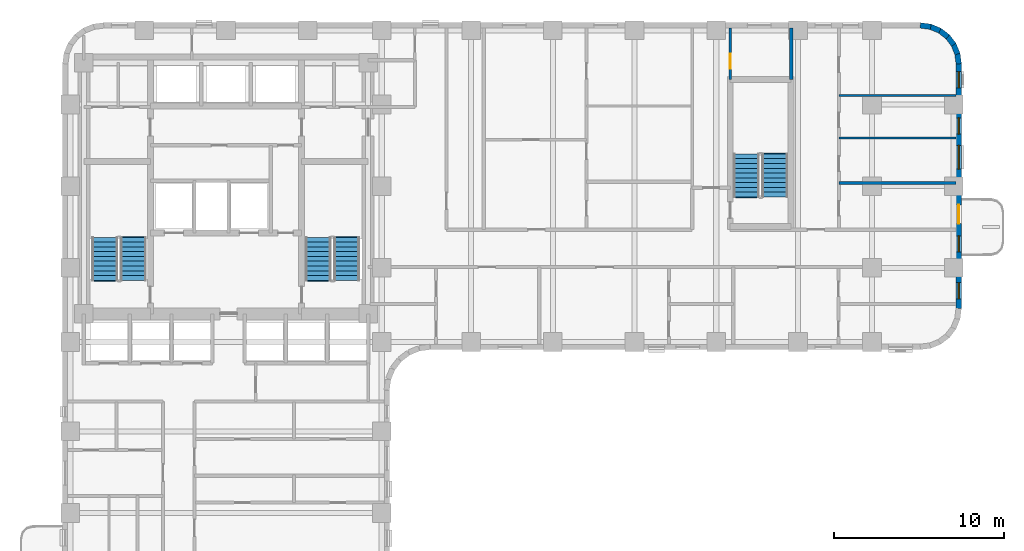
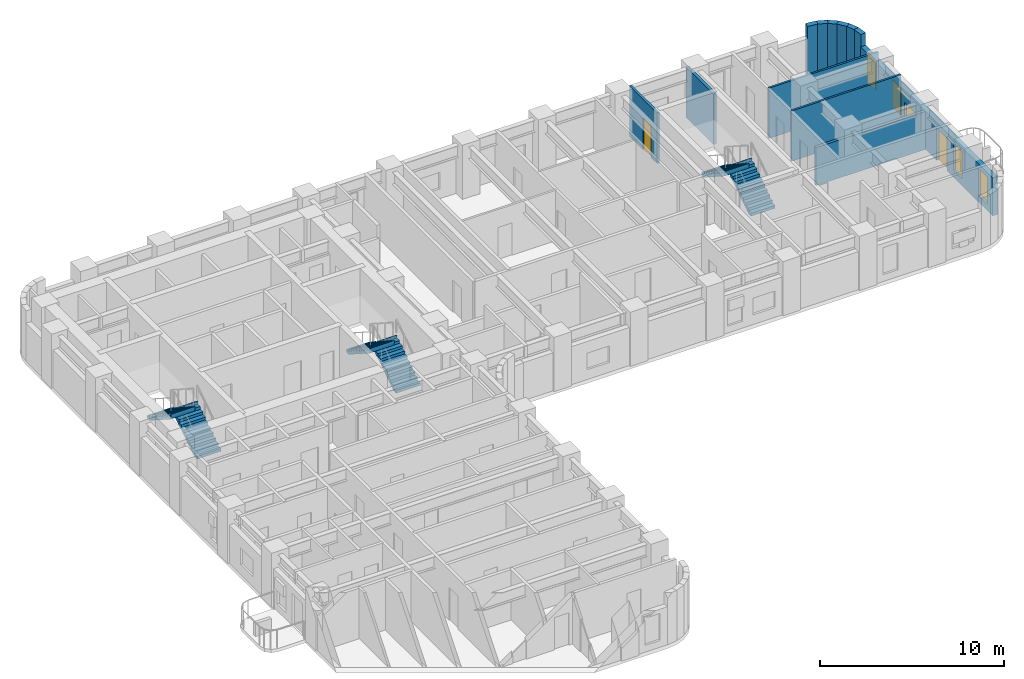
# One storey, part 8 of 12: 12 walls, 6 stair flights, 5 windows, 2 doors, 7 openings, 3 elements without a shape of their own.
"""IFC4 building model written with IfcOpenShell, lengths in metres."""

from ifc_helpers import new_model, si_unit, direction, frame, frame_2d, origin, place, context, subcontext, project, spatial, polyline, rectangle, outline, extrude, material, layer, layer_set, type_object, element, fill, aggregate, save


model = new_model("IFC4")

# Units and contexts
model_context = context("Model", 3, precision=1e-05, world=origin(), true_north=direction((0.0, 1.0)))
body_context = subcontext(model_context, "Body", "Model", "MODEL_VIEW")
ifc_project = project(units=[si_unit("LENGTHUNIT", "METRE"), si_unit("AREAUNIT", "SQUARE_METRE"), si_unit("VOLUMEUNIT", "CUBIC_METRE"), si_unit("PLANEANGLEUNIT", "RADIAN"), si_unit("MASSUNIT", "GRAM", prefix="KILO")], contexts=[model_context])

# Site, building, storey
site_placement = place(None, origin())
site = spatial("IfcSite", under=ifc_project, at=site_placement, CompositionType="ELEMENT")
building_placement = place(site_placement, origin())
building = spatial("IfcBuilding", under=site, at=building_placement, Name="Orvandelia Arch Residences", CompositionType="ELEMENT")
storey_placement = place(building_placement, frame((0.0, 0.0, 43.0)))
storey = spatial("IfcBuildingStorey", under=building, at=storey_placement, Name="L10", CompositionType="ELEMENT", Elevation=43.0)

# Walls
ifc_material_1 = material(Name="Concrete C40/50", Category="concrete")
ifc_layer_1 = layer(ifc_material_1, 0.199951171875, Name="Concrete C40/50", Category="concrete")
ifc_layer_set_1 = layer_set([ifc_layer_1], Name="Concrete C40/50")
wall_type_1 = type_object("IfcWallType", Name="WL-DEM-200", PredefinedType="SOLIDWALL", material=ifc_layer_set_1)
wall_1_placement = place(storey_placement, frame((47.60009765625, 44.659912109375, 0.0), z_axis=(0.0, 0.0, 1.0), x_axis=(0.0, 1.0, 0.0)))
element("IfcWall", 1, at=wall_1_placement, inside=storey, type_object=wall_type_1, Name="Interior Partition Wall WL-L10-ES-NST3E", PredefinedType="SOLIDWALL", context=body_context, shape_type="SweptSolid", body=[
    extrude(rectangle(XDim=3.02001953125, YDim=0.199951171875, at=frame_2d((1.510009765625, 0.0))), origin(), (0.0, 0.0, 1.0), 3.35009765625),
])
ifc_material_2 = material(Name="Precast concrete C40/50", Category="concrete")
ifc_layer_2 = layer(ifc_material_2, 0.320068359375, Name="Precast concrete C40/50", Category="concrete")
ifc_layer_set_2 = layer_set([ifc_layer_2], Name="Precast concrete C40/50")
wall_type_2 = type_object("IfcWallType", Name="WL-EXT-STONE-320", PredefinedType="STANDARD", material=ifc_layer_set_2)
for number, where, z_axis, x_axis, name in (
    (2, (55.17919921875, 47.84130859375, 0.0), (0.0, 0.0, 1.0), (0.9914410257, -0.130555323746, 0.0), "Coral-Limestone Precast Facade Wall L10-008"),
    (3, (55.760009765625, 47.7705078125, 0.0), (0.0, 0.0, 1.0), (0.92389335771, -0.382650053678, 0.0), "Coral-Limestone Precast Facade Wall L10-009"),
):
    element("IfcWall", number, at=place(storey_placement, frame(where, z_axis=z_axis, x_axis=x_axis)), inside=storey, type_object=wall_type_2, Name=name, PredefinedType="STANDARD", context=body_context, shape_type="SweptSolid", body=[
        extrude(rectangle(XDim=0.62646484375, YDim=0.320068359375, at=frame_2d((0.313232421875, 0.0))), origin(), (0.0, 0.0, 1.0), 3.35009765625),
    ])
wall_2_placement = place(storey_placement, frame((56.302490234375, 47.551513671875, 0.0), z_axis=(0.0, 0.0, 1.0), x_axis=(0.793549926411, -0.608505147302, 0.0)))
element("IfcWall", 4, at=wall_2_placement, inside=storey, type_object=wall_type_2, Name="Coral-Limestone Precast Facade Wall L10-010", PredefinedType="STANDARD", context=body_context, shape_type="SweptSolid", body=[
    extrude(rectangle(XDim=0.626708984375, YDim=0.320068359375, at=frame_2d((0.3134765625, 0.0))), origin(), (0.0, 0.0, 1.0), 3.35009765625),
])
for number, where, z_axis, x_axis, name in (
    (5, (56.770263671875, 47.19970703125, 0.0), (0.0, 0.0, 1.0), (0.608693302629, -0.793405610854, 0.0), "Coral-Limestone Precast Facade Wall L10-011"),
    (6, (57.130615234375, 46.73876953125, 0.0), (0.0, 0.0, 1.0), (0.382650053678, -0.92389335771, 0.0), "Coral-Limestone Precast Facade Wall L10-012"),
    (7, (57.359619140625, 46.2001953125, 0.0), (0.0, 0.0, 1.0), (0.130555323746, -0.9914410257, 0.0), "Coral-Limestone Precast Facade Wall L10-013"),
):
    element("IfcWall", number, at=place(storey_placement, frame(where, z_axis=z_axis, x_axis=x_axis)), inside=storey, type_object=wall_type_2, Name=name, PredefinedType="STANDARD", context=body_context, shape_type="SweptSolid", body=[
        extrude(rectangle(XDim=0.62646484375, YDim=0.320068359375, at=frame_2d((0.313232421875, 0.0))), origin(), (0.0, 0.0, 1.0), 3.35009765625),
    ])

# Wall, openings, door, windows
wall_3_placement = place(storey_placement, frame((57.43994140625, 45.60009765625, 0.0), z_axis=(0.0, 0.0, 1.0), x_axis=(0.0, -1.0, 0.0)))
wall_3 = element("IfcWall", 8, at=wall_3_placement, inside=storey, type_object=wall_type_2, Name="Coral-Limestone Precast Facade Wall L10-014", PredefinedType="STANDARD", context=body_context, shape_type="SweptSolid", body=[
    extrude(rectangle(XDim=14.400146484375, YDim=0.320068359375, at=frame_2d((7.2001953125, 0.0))), origin(), (0.0, 0.0, 1.0), 2.530029296875),
])
opening_1_placement = place(wall_3_placement, frame((8.300048828125, 0.0, 0.0)))
opening_1 = element("IfcOpeningElement", 9, at=opening_1_placement, cuts=wall_3, Name="Opening BD1", PredefinedType="OPENING", context=body_context, shape_type="SweptSolid", body=[
    extrude(rectangle(XDim=1.10009765625, YDim=2.14990234375, at=frame_2d((0.550048828125, 1.074951171875))), frame((0.0, 0.169921875, 0.0), z_axis=(0.0, -1.0, 0.0), x_axis=(1.0, 0.0, 0.0)), (0.0, 0.0, 1.0), 0.340087890625),
])
opening_2_placement = place(wall_3_placement, frame((0.469970703125, 0.0, 0.449951171875)))
opening_2 = element("IfcOpeningElement", 10, at=opening_2_placement, cuts=wall_3, Name="Opening W4", PredefinedType="OPENING", context=body_context, shape_type="SweptSolid", body=[
    extrude(rectangle(XDim=0.949951171875, YDim=1.800048828125, at=frame_2d((0.47509765625, 0.89990234375))), frame((0.0, 0.169921875, 0.0), z_axis=(0.0, -1.0, 0.0), x_axis=(1.0, 0.0, 0.0)), (0.0, 0.0, 1.0), 0.340087890625),
])
opening_3_placement = place(wall_3_placement, frame((10.114990234375, 0.0, 0.449951171875)))
opening_3 = element("IfcOpeningElement", 11, at=opening_3_placement, cuts=wall_3, Name="Opening W4", PredefinedType="OPENING", context=body_context, shape_type="SweptSolid", body=[
    extrude(rectangle(XDim=0.949951171875, YDim=1.800048828125, at=frame_2d((0.47509765625, 0.89990234375))), frame((0.0, 0.169921875, 0.0), z_axis=(0.0, -1.0, 0.0), x_axis=(1.0, 0.0, 0.0)), (0.0, 0.0, 1.0), 0.340087890625),
])
opening_4_placement = place(wall_3_placement, frame((12.867431640625, 0.0, 0.449951171875)))
opening_4 = element("IfcOpeningElement", 12, at=opening_4_placement, cuts=wall_3, Name="Opening W4", PredefinedType="OPENING", context=body_context, shape_type="SweptSolid", body=[
    extrude(rectangle(XDim=0.949951171875, YDim=1.800048828125, at=frame_2d((0.47509765625, 0.89990234375))), frame((0.0, 0.169921875, 0.0), z_axis=(0.0, -1.0, 0.0), x_axis=(1.0, 0.0, 0.0)), (0.0, 0.0, 1.0), 0.340087890625),
])
opening_5_placement = place(wall_3_placement, frame((4.798583984375, 0.0, 0.64990234375)))
opening_5 = element("IfcOpeningElement", 13, at=opening_5_placement, cuts=wall_3, Name="Opening W10", PredefinedType="OPENING", context=body_context, shape_type="SweptSolid", body=[
    extrude(rectangle(XDim=1.39990234375, YDim=1.10009765625, at=frame_2d((0.699951171875, 0.550048828125))), frame((0.0, 0.169921875, 0.0), z_axis=(0.0, -1.0, 0.0), x_axis=(1.0, 0.0, 0.0)), (0.0, 0.0, 1.0), 0.340087890625),
])
opening_6_placement = place(wall_3_placement, frame((3.193603515625, 0.0, 0.449951171875)))
opening_6 = element("IfcOpeningElement", 14, at=opening_6_placement, cuts=wall_3, Name="Opening W4", PredefinedType="OPENING", context=body_context, shape_type="SweptSolid", body=[
    extrude(rectangle(XDim=0.949951171875, YDim=1.800048828125, at=frame_2d((0.47509765625, 0.89990234375))), frame((0.0, 0.169921875, 0.0), z_axis=(0.0, -1.0, 0.0), x_axis=(1.0, 0.0, 0.0)), (0.0, 0.0, 1.0), 0.340087890625),
])
ifc_material_3 = material(Name="Thermally Broken Aluminium Glazed Door", Category="aluminium")
door_type_1 = type_object("IfcDoorType", Name="DR-BAL-GLAZ-1100", OperationType="NOTDEFINED", PredefinedType="DOOR", material=ifc_material_3)
door_1_placement = place(opening_1_placement, origin())
door_1 = element("IfcDoor", 15, at=door_1_placement, inside=storey, type_object=door_type_1, Name="Tree Balcony Glazed Door BAL-L10-E1", OperationType="SINGLE_SWING_LEFT", OverallHeight=2.14990234375, OverallWidth=1.10009765625, PredefinedType="DOOR", context=body_context, shape_type="SweptSolid", body=[
    extrude(rectangle(XDim=1.10009765625, YDim=2.14990234375, at=frame_2d((0.550048828125, 1.074951171875))), frame((0.0, 0.02490234375, 0.0), z_axis=(0.0, -1.0, 0.0), x_axis=(1.0, 0.0, 0.0)), (0.0, 0.0, 1.0), 0.050048828125),
])
fill(opening_1, door_1)
ifc_material_4 = material(Name="Tempered Low-E Insulated Glazing", Category="glass")
window_type_1 = type_object("IfcWindowType", Name="WIN-CLR-1400x1100", PartitioningType="SINGLE_PANEL", PredefinedType="WINDOW", material=ifc_material_4)
window_1_placement = place(opening_5_placement, origin())
window_1 = element("IfcWindow", 16, at=window_1_placement, inside=storey, type_object=window_type_1, Name="Recessed Punched Window L10-012", OverallHeight=1.10009765625, OverallWidth=1.39990234375, PartitioningType="SINGLE_PANEL", PredefinedType="WINDOW", context=body_context, shape_type="SweptSolid", body=[
    extrude(rectangle(XDim=1.39990234375, YDim=1.10009765625, at=frame_2d((0.699951171875, 0.550048828125))), frame((0.0, 0.030029296875, 0.0), z_axis=(0.0, -1.0, 0.0), x_axis=(1.0, 0.0, 0.0)), (0.0, 0.0, 1.0), 0.06005859375),
])
fill(opening_5, window_1)
window_type_2 = type_object("IfcWindowType", Name="WIN-RES-0950x1800", PartitioningType="SINGLE_PANEL", PredefinedType="WINDOW", material=ifc_material_4)
window_2_placement = place(opening_2_placement, origin())
window_2 = element("IfcWindow", 17, at=window_2_placement, inside=storey, type_object=window_type_2, Name="Recessed Punched Window L10-009", OverallHeight=1.800048828125, OverallWidth=0.949951171875, PartitioningType="SINGLE_PANEL", PredefinedType="WINDOW", context=body_context, shape_type="SweptSolid", body=[
    extrude(rectangle(XDim=0.949951171875, YDim=1.800048828125, at=frame_2d((0.47509765625, 0.89990234375))), frame((0.0, 0.030029296875, 0.0), z_axis=(0.0, -1.0, 0.0), x_axis=(1.0, 0.0, 0.0)), (0.0, 0.0, 1.0), 0.06005859375),
])
fill(opening_2, window_2)
window_3_placement = place(opening_3_placement, origin())
window_3 = element("IfcWindow", 18, at=window_3_placement, inside=storey, type_object=window_type_2, Name="Recessed Punched Window L10-010", OverallHeight=1.800048828125, OverallWidth=0.949951171875, PartitioningType="SINGLE_PANEL", PredefinedType="WINDOW", context=body_context, shape_type="SweptSolid", body=[
    extrude(rectangle(XDim=0.949951171875, YDim=1.800048828125, at=frame_2d((0.47509765625, 0.89990234375))), frame((0.0, 0.030029296875, 0.0), z_axis=(0.0, -1.0, 0.0), x_axis=(1.0, 0.0, 0.0)), (0.0, 0.0, 1.0), 0.06005859375),
])
fill(opening_3, window_3)
window_4_placement = place(opening_4_placement, origin())
window_4 = element("IfcWindow", 19, at=window_4_placement, inside=storey, type_object=window_type_2, Name="Recessed Punched Window L10-011", OverallHeight=1.800048828125, OverallWidth=0.949951171875, PartitioningType="SINGLE_PANEL", PredefinedType="WINDOW", context=body_context, shape_type="SweptSolid", body=[
    extrude(rectangle(XDim=0.949951171875, YDim=1.800048828125, at=frame_2d((0.47509765625, 0.89990234375))), frame((0.0, 0.030029296875, 0.0), z_axis=(0.0, -1.0, 0.0), x_axis=(1.0, 0.0, 0.0)), (0.0, 0.0, 1.0), 0.06005859375),
])
fill(opening_4, window_4)
window_5_placement = place(opening_6_placement, origin())
window_5 = element("IfcWindow", 20, at=window_5_placement, inside=storey, type_object=window_type_2, Name="Recessed Punched Window L10-013", OverallHeight=1.800048828125, OverallWidth=0.949951171875, PartitioningType="SINGLE_PANEL", PredefinedType="WINDOW", context=body_context, shape_type="SweptSolid", body=[
    extrude(rectangle(XDim=0.949951171875, YDim=1.800048828125, at=frame_2d((0.47509765625, 0.89990234375))), frame((0.0, 0.030029296875, 0.0), z_axis=(0.0, -1.0, 0.0), x_axis=(1.0, 0.0, 0.0)), (0.0, 0.0, 1.0), 0.06005859375),
])
fill(opening_6, window_5)

# Walls
ifc_material_5 = material(Name="Lightweight Gypsum Stud Partition")
ifc_layer_3 = layer(ifc_material_5, 0.1201171875, Name="Lightweight Gypsum Stud Partition")
ifc_layer_set_3 = layer_set([ifc_layer_3], Name="Lightweight Gypsum Stud Partition")
wall_type_3 = type_object("IfcWallType", Name="WL-PART-120", PredefinedType="PARTITIONING", material=ifc_layer_set_3)
for number, where, z_axis, x_axis, name in (
    (21, (50.39697265625, 41.23291015625, 0.0), (0.0, 0.0, 1.0), (1.0, 0.0, 0.0), "Interior Partition Wall WL-L10-U12-H1B"),
    (22, (50.39697265625, 43.718994140625, 0.0), (0.0, 0.0, 1.0), (1.0, 0.0, 0.0), "Interior Partition Wall WL-L10-U12-H2"),
):
    element("IfcWall", number, at=place(storey_placement, frame(where, z_axis=z_axis, x_axis=x_axis)), inside=storey, type_object=wall_type_3, Name=name, PredefinedType="PARTITIONING", context=body_context, shape_type="SweptSolid", body=[
        extrude(rectangle(XDim=6.883056640625, YDim=0.1201171875, at=frame_2d((3.44140625, 0.0))), origin(), (0.0, 0.0, 1.0), 3.35009765625),
    ])

# Wall, opening, door
ifc_material_6 = material(Name="Acoustic Gypsum Stud Partition")
ifc_layer_4 = layer(ifc_material_6, 0.14990234375, Name="Acoustic Gypsum Stud Partition")
ifc_layer_set_4 = layer_set([ifc_layer_4], Name="Acoustic Gypsum Stud Partition")
wall_type_4 = type_object("IfcWallType", Name="WL-PART-150", PredefinedType="PARTITIONING", material=ifc_layer_set_4)
wall_4_placement = place(storey_placement, frame((44.02001953125, 44.659912109375, 0.0), z_axis=(0.0, 0.0, 1.0), x_axis=(0.0, 1.0, 0.0)))
wall_4 = element("IfcWall", 23, at=wall_4_placement, inside=storey, type_object=wall_type_4, Name="Interior Partition Wall WL-L10-ES-NST3W", PredefinedType="PARTITIONING", context=body_context, shape_type="SweptSolid", body=[
    extrude(rectangle(XDim=3.02001953125, YDim=0.14990234375, at=frame_2d((1.510009765625, 0.0))), origin(), (0.0, 0.0, 1.0), 3.35009765625),
])
opening_7_placement = place(wall_4_placement, frame((0.64990234375, 0.0, 0.0)))
opening_7 = element("IfcOpeningElement", 24, at=opening_7_placement, cuts=wall_4, Name="Opening D5", PredefinedType="OPENING", context=body_context, shape_type="SweptSolid", body=[
    extrude(rectangle(XDim=0.8798828125, YDim=2.10009765625, at=frame_2d((0.43994140625, 1.050048828125))), frame((0.0, 0.0849609375, 0.0), z_axis=(0.0, -1.0, 0.0), x_axis=(1.0, 0.0, 0.0)), (0.0, 0.0, 1.0), 0.169921875),
])
ifc_material_7 = material(Name="Painted Galvanised Steel Service Door", Category="steel")
door_type_2 = type_object("IfcDoorType", Name="DR-SRV-880", OperationType="NOTDEFINED", PredefinedType="DOOR", material=ifc_material_7)
door_2_placement = place(opening_7_placement, origin())
door_2 = element("IfcDoor", 25, at=door_2_placement, inside=storey, type_object=door_type_2, Name="DR-L10-ESNST3", OperationType="SINGLE_SWING_RIGHT", OverallHeight=2.10009765625, OverallWidth=0.8798828125, PredefinedType="DOOR", context=body_context, shape_type="SweptSolid", body=[
    extrude(rectangle(XDim=0.8798828125, YDim=2.10009765625, at=frame_2d((0.43994140625, 1.050048828125))), frame((0.0, 0.02490234375, 0.0), z_axis=(0.0, -1.0, 0.0), x_axis=(1.0, 0.0, 0.0)), (0.0, 0.0, 1.0), 0.050048828125),
])
fill(opening_7, door_2)

# Wall
ifc_material_8 = material(Name="Moisture-Resistant Plumbing Wall")
ifc_layer_5 = layer(ifc_material_8, 0.179931640625, Name="Moisture-Resistant Plumbing Wall")
ifc_layer_set_5 = layer_set([ifc_layer_5], Name="Moisture-Resistant Plumbing Wall")
wall_type_5 = type_object("IfcWallType", Name="WL-WET-180", PredefinedType="PLUMBINGWALL", material=ifc_layer_set_5)
wall_5_placement = place(storey_placement, frame((50.39697265625, 38.591064453125, 0.0), z_axis=(0.0, 0.0, 1.0), x_axis=(1.0, 0.0, 0.0)))
element("IfcWall", 26, at=wall_5_placement, inside=storey, type_object=wall_type_5, Name="Interior Partition Wall WL-L10-U12-H1", PredefinedType="PLUMBINGWALL", context=body_context, shape_type="SweptSolid", body=[
    extrude(rectangle(XDim=6.883056640625, YDim=0.179931640625, at=frame_2d((3.44140625, 0.0))), origin(), (0.0, 0.0, 1.0), 2.530029296875),
])

# Stair, stair flights
stair_type = type_object("IfcStairType", Name="STAIR-RC-DOGLEG", PredefinedType="HALF_TURN_STAIR", material=ifc_material_1)
stair_1_placement = place(storey_placement, origin())
stair_1 = element("IfcStair", 27, at=stair_1_placement, inside=storey, type_object=stair_type, Name="L10 Protected Exit Stair ST-1", PredefinedType="HALF_TURN_STAIR")
stair_flight_type = type_object("IfcStairFlightType", Name="STFLT-RC-1520", PredefinedType="STRAIGHT", material=ifc_material_1)
stair_flight_1_placement = place(storey_placement, frame((8.9599609375, 32.8701171875, 0.0), z_axis=(0.0, 0.0, 1.0), x_axis=(0.0, 1.0, 0.0)))
stair_flight_1 = element("IfcStairFlight", 28, at=stair_flight_1_placement, type_object=stair_flight_type, Name="ST-1 flight 1", NumberOfRisers=10, NumberOfTreads=9, PredefinedType="STRAIGHT", RiserHeight=0.18, TreadLength=0.28, context=body_context, shape_type="SweptSolid", body=[
    extrude(outline(polyline([(0.0, 0.0), (0.0, 0.179931640625), (0.280029296875, 0.179931640625), (0.280029296875, 0.360107421875), (0.56005859375, 0.360107421875), (0.56005859375, 0.5400390625), (0.840087890625, 0.5400390625), (0.840087890625, 0.719970703125), (1.1201171875, 0.719970703125), (1.1201171875, 0.89990234375), (1.39990234375, 0.89990234375), (1.39990234375, 1.080078125), (1.679931640625, 1.080078125), (1.679931640625, 1.260009765625), (1.9599609375, 1.260009765625), (1.9599609375, 1.43994140625), (2.239990234375, 1.43994140625), (2.239990234375, 1.6201171875), (2.52001953125, 1.6201171875), (2.52001953125, 1.800048828125), (2.580078125, 1.800048828125), (2.580078125, 1.6201171875), (2.52001953125, 1.44189453125), (0.277099609375, 0.0), (0.0, 0.0)])), frame((0.0, 0.760009765625, 0.0), z_axis=(0.0, -1.0, 0.0), x_axis=(1.0, 0.0, 0.0)), (0.0, 0.0, 1.0), 1.52001953125),
])
stair_flight_2_placement = place(storey_placement, frame((7.2900390625, 35.389892578125, 1.800048828125), z_axis=(0.0, 0.0, 1.0), x_axis=(0.0, -1.0, 0.0)))
stair_flight_2 = element("IfcStairFlight", 29, at=stair_flight_2_placement, type_object=stair_flight_type, Name="ST-1 flight 2", NumberOfRisers=10, NumberOfTreads=9, PredefinedType="STRAIGHT", RiserHeight=0.18, TreadLength=0.28, context=body_context, shape_type="SweptSolid", body=[
    extrude(outline(polyline([(0.0, 0.0), (0.0, 0.179931640625), (0.280029296875, 0.179931640625), (0.280029296875, 0.360107421875), (0.56005859375, 0.360107421875), (0.56005859375, 0.5400390625), (0.840087890625, 0.5400390625), (0.840087890625, 0.719970703125), (1.1201171875, 0.719970703125), (1.1201171875, 0.89990234375), (1.39990234375, 0.89990234375), (1.39990234375, 1.080078125), (1.679931640625, 1.080078125), (1.679931640625, 1.260009765625), (1.9599609375, 1.260009765625), (1.9599609375, 1.43994140625), (2.239990234375, 1.43994140625), (2.239990234375, 1.6201171875), (2.52001953125, 1.6201171875), (2.52001953125, 1.800048828125), (2.580078125, 1.800048828125), (2.580078125, 1.6201171875), (2.52001953125, 1.44189453125), (0.277099609375, 0.0), (0.0, 0.0)])), frame((0.0, 0.760009765625, 0.0), z_axis=(0.0, -1.0, 0.0), x_axis=(1.0, 0.0, 0.0)), (0.0, 0.0, 1.0), 1.52001953125),
])
aggregate(stair_1, [stair_flight_1, stair_flight_2])

stair_2_placement = place(storey_placement, origin())
stair_2 = element("IfcStair", 30, at=stair_2_placement, inside=storey, type_object=stair_type, Name="L10 Protected Exit Stair ST-2", PredefinedType="HALF_TURN_STAIR")
stair_flight_3_placement = place(storey_placement, frame((21.489990234375, 32.8701171875, 0.0), z_axis=(0.0, 0.0, 1.0), x_axis=(0.0, 1.0, 0.0)))
stair_flight_3 = element("IfcStairFlight", 31, at=stair_flight_3_placement, type_object=stair_flight_type, Name="ST-2 flight 1", NumberOfRisers=10, NumberOfTreads=9, PredefinedType="STRAIGHT", RiserHeight=0.18, TreadLength=0.28, context=body_context, shape_type="SweptSolid", body=[
    extrude(outline(polyline([(0.0, 0.0), (0.0, 0.179931640625), (0.280029296875, 0.179931640625), (0.280029296875, 0.360107421875), (0.56005859375, 0.360107421875), (0.56005859375, 0.5400390625), (0.840087890625, 0.5400390625), (0.840087890625, 0.719970703125), (1.1201171875, 0.719970703125), (1.1201171875, 0.89990234375), (1.39990234375, 0.89990234375), (1.39990234375, 1.080078125), (1.679931640625, 1.080078125), (1.679931640625, 1.260009765625), (1.9599609375, 1.260009765625), (1.9599609375, 1.43994140625), (2.239990234375, 1.43994140625), (2.239990234375, 1.6201171875), (2.52001953125, 1.6201171875), (2.52001953125, 1.800048828125), (2.580078125, 1.800048828125), (2.580078125, 1.6201171875), (2.52001953125, 1.44189453125), (0.277099609375, 0.0), (0.0, 0.0)])), frame((0.0, 0.760009765625, 0.0), z_axis=(0.0, -1.0, 0.0), x_axis=(1.0, 0.0, 0.0)), (0.0, 0.0, 1.0), 1.52001953125),
])
stair_flight_4_placement = place(storey_placement, frame((19.820068359375, 35.389892578125, 1.800048828125), z_axis=(0.0, 0.0, 1.0), x_axis=(0.0, -1.0, 0.0)))
stair_flight_4 = element("IfcStairFlight", 32, at=stair_flight_4_placement, type_object=stair_flight_type, Name="ST-2 flight 2", NumberOfRisers=10, NumberOfTreads=9, PredefinedType="STRAIGHT", RiserHeight=0.18, TreadLength=0.28, context=body_context, shape_type="SweptSolid", body=[
    extrude(outline(polyline([(0.0, 0.0), (0.0, 0.179931640625), (0.280029296875, 0.179931640625), (0.280029296875, 0.360107421875), (0.56005859375, 0.360107421875), (0.56005859375, 0.5400390625), (0.840087890625, 0.5400390625), (0.840087890625, 0.719970703125), (1.1201171875, 0.719970703125), (1.1201171875, 0.89990234375), (1.39990234375, 0.89990234375), (1.39990234375, 1.080078125), (1.679931640625, 1.080078125), (1.679931640625, 1.260009765625), (1.9599609375, 1.260009765625), (1.9599609375, 1.43994140625), (2.239990234375, 1.43994140625), (2.239990234375, 1.6201171875), (2.52001953125, 1.6201171875), (2.52001953125, 1.800048828125), (2.580078125, 1.800048828125), (2.580078125, 1.6201171875), (2.52001953125, 1.44189453125), (0.277099609375, 0.0), (0.0, 0.0)])), frame((0.0, 0.760009765625, 0.0), z_axis=(0.0, -1.0, 0.0), x_axis=(1.0, 0.0, 0.0)), (0.0, 0.0, 1.0), 1.52001953125),
])
aggregate(stair_2, [stair_flight_3, stair_flight_4])

stair_3_placement = place(storey_placement, origin())
stair_3 = element("IfcStair", 33, at=stair_3_placement, inside=storey, type_object=stair_type, Name="L10 East Wing Exit Stair ST-3", PredefinedType="HALF_TURN_STAIR")
stair_flight_5_placement = place(storey_placement, frame((46.639892578125, 37.77001953125, 0.0), z_axis=(0.0, 0.0, 1.0), x_axis=(0.0, 1.0, 0.0)))
stair_flight_5 = element("IfcStairFlight", 34, at=stair_flight_5_placement, type_object=stair_flight_type, Name="ST-3 flight 1", NumberOfRisers=10, NumberOfTreads=9, PredefinedType="STRAIGHT", RiserHeight=0.18, TreadLength=0.28, context=body_context, shape_type="SweptSolid", body=[
    extrude(outline(polyline([(0.0, 0.0), (0.0, 0.179931640625), (0.280029296875, 0.179931640625), (0.280029296875, 0.360107421875), (0.56005859375, 0.360107421875), (0.56005859375, 0.5400390625), (0.840087890625, 0.5400390625), (0.840087890625, 0.719970703125), (1.1201171875, 0.719970703125), (1.1201171875, 0.89990234375), (1.39990234375, 0.89990234375), (1.39990234375, 1.080078125), (1.679931640625, 1.080078125), (1.679931640625, 1.260009765625), (1.9599609375, 1.260009765625), (1.9599609375, 1.43994140625), (2.239990234375, 1.43994140625), (2.239990234375, 1.6201171875), (2.52001953125, 1.6201171875), (2.52001953125, 1.800048828125), (2.580078125, 1.800048828125), (2.580078125, 1.6201171875), (2.52001953125, 1.44189453125), (0.277099609375, 0.0), (0.0, 0.0)])), frame((0.0, 0.760009765625, 0.0), z_axis=(0.0, -1.0, 0.0), x_axis=(1.0, 0.0, 0.0)), (0.0, 0.0, 1.0), 1.52001953125),
])
stair_flight_6_placement = place(storey_placement, frame((44.969970703125, 40.2900390625, 1.800048828125), z_axis=(0.0, 0.0, 1.0), x_axis=(0.0, -1.0, 0.0)))
stair_flight_6 = element("IfcStairFlight", 35, at=stair_flight_6_placement, type_object=stair_flight_type, Name="ST-3 flight 2", NumberOfRisers=10, NumberOfTreads=9, PredefinedType="STRAIGHT", RiserHeight=0.18, TreadLength=0.28, context=body_context, shape_type="SweptSolid", body=[
    extrude(outline(polyline([(0.0, 0.0), (0.0, 0.179931640625), (0.280029296875, 0.179931640625), (0.280029296875, 0.360107421875), (0.56005859375, 0.360107421875), (0.56005859375, 0.5400390625), (0.840087890625, 0.5400390625), (0.840087890625, 0.719970703125), (1.1201171875, 0.719970703125), (1.1201171875, 0.89990234375), (1.39990234375, 0.89990234375), (1.39990234375, 1.080078125), (1.679931640625, 1.080078125), (1.679931640625, 1.260009765625), (1.9599609375, 1.260009765625), (1.9599609375, 1.43994140625), (2.239990234375, 1.43994140625), (2.239990234375, 1.6201171875), (2.52001953125, 1.6201171875), (2.52001953125, 1.800048828125), (2.580078125, 1.800048828125), (2.580078125, 1.6201171875), (2.52001953125, 1.44189453125), (0.277099609375, 0.0), (0.0, 0.0)])), frame((0.0, 0.760009765625, 0.0), z_axis=(0.0, -1.0, 0.0), x_axis=(1.0, 0.0, 0.0)), (0.0, 0.0, 1.0), 1.52001953125),
])
aggregate(stair_3, [stair_flight_5, stair_flight_6])

save(model, "model.ifc")
